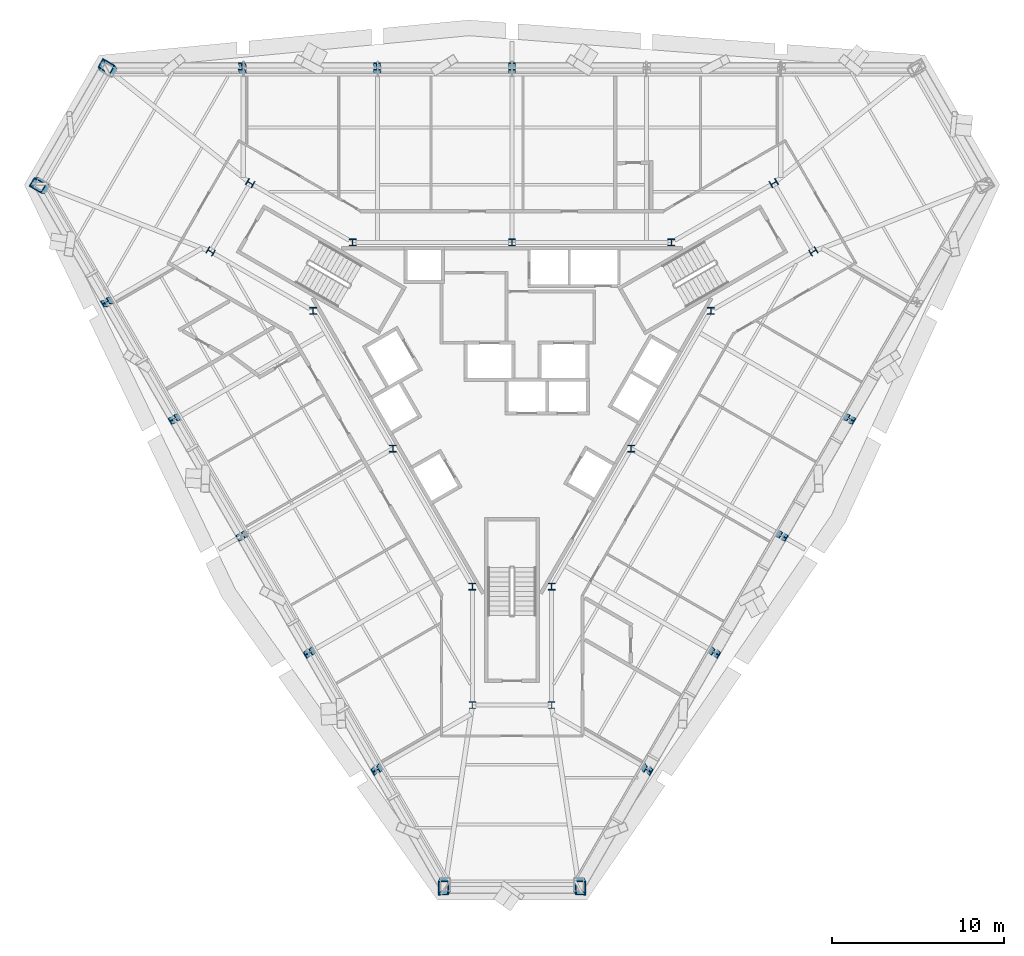
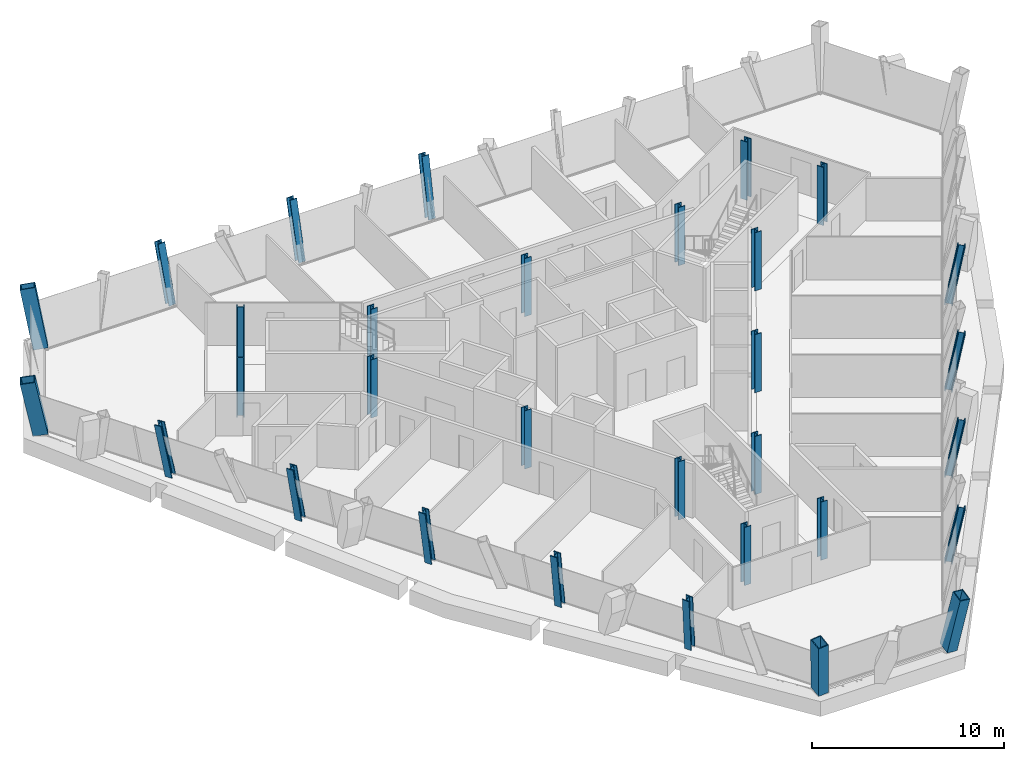
# One storey, part 1 of 12: 31 columns.
"""IFC4 building model written with IfcOpenShell, lengths in metres."""

from ifc_helpers import new_model, si_unit, direction, frame, origin, origin_2d, place, context, subcontext, project, spatial, hollow_rectangle, i_section, extrude, material, material_profile, profile_set, type_object, element, save


model = new_model("IFC4")

# Units and contexts
model_context = context("Model", 3, precision=1e-05, world=origin(), true_north=direction((0.0, 1.0)))
body_context = subcontext(model_context, "Body", "Model", "MODEL_VIEW")
ifc_project = project(units=[si_unit("LENGTHUNIT", "METRE"), si_unit("AREAUNIT", "SQUARE_METRE"), si_unit("VOLUMEUNIT", "CUBIC_METRE"), si_unit("PLANEANGLEUNIT", "RADIAN"), si_unit("MASSUNIT", "GRAM", prefix="KILO")], contexts=[model_context])

# Site, building, storey
site_placement = place(None, origin())
site = spatial("IfcSite", under=ifc_project, at=site_placement, CompositionType="ELEMENT")
building_placement = place(site_placement, origin())
building = spatial("IfcBuilding", under=site, at=building_placement, Name="Verrane Prism Tower", CompositionType="ELEMENT")
storey_placement = place(building_placement, frame((0.0, 0.0, 185.800048828125)))
storey = spatial("IfcBuildingStorey", under=building, at=storey_placement, Name="L46", CompositionType="ELEMENT", Elevation=185.800048828125)

# Columns
ifc_material_1 = material(Name="Steel A992", Category="steel")
ifc_material_profile_1 = material_profile(ifc_material_1, i_section(OverallWidth=0.406494140625, OverallDepth=0.41650390625, WebThickness=0.030029296875, FlangeThickness=0.048095703125, FilletRadius=0.01513671875, at=origin_2d()), Name="W14x257")
ifc_profile_set_1 = profile_set([ifc_material_profile_1], Name="Steel A992")
column_type_1 = type_object("IfcColumnType", Name="Core corner column W14x257", PredefinedType="COLUMN", material=ifc_profile_set_1)
for number, where, z_axis, x_axis, name in (
    (1, (17.52001953125, 7.4599609375, 0.0), (0.0, 0.0, 1.0), (0.5, -0.866025403784, 0.0), "Core corner column CK-NEm L46"),
    (2, (15.219970703125, 11.43994140625, 0.0), (0.0, 0.0, 1.0), (0.5, -0.866025403784, 0.0), "Core corner column CK-NEp L46"),
    (3, (-15.219970703125, 11.43994140625, 0.0), (0.0, 0.0, 1.0), (0.5, 0.866025403784, 0.0), "Core corner column CK-NWm L46"),
    (4, (-17.52001953125, 7.4599609375, 0.0), (0.0, 0.0, 1.0), (0.5, 0.866025403784, 0.0), "Core corner column CK-NWp L46"),
    (5, (-2.300048828125, -18.89990234375, 0.0), (0.0, 0.0, 1.0), (-1.0, 0.0, 0.0), "Core corner column CK-Sm L46"),
    (6, (2.300048828125, -18.89990234375, 0.0), (0.0, 0.0, 1.0), (-1.0, 0.0, 0.0), "Core corner column CK-Sp L46"),
):
    element("IfcColumn", number, at=place(storey_placement, frame(where, z_axis=z_axis, x_axis=x_axis)), inside=storey, type_object=column_type_1, Name=name, PredefinedType="COLUMN", context=body_context, shape_type="SweptSolid", body=[
        extrude(i_section(OverallWidth=0.406494140625, OverallDepth=0.41650390625, WebThickness=0.030029296875, FlangeThickness=0.048095703125, FilletRadius=0.01513671875, at=origin_2d()), origin(), (0.0, 0.0, 1.0), 3.699951171875),
    ])
ifc_material_2 = material(Name="Steel A992", Category="steel")
ifc_material_profile_2 = material_profile(ifc_material_2, i_section(OverallWidth=0.4013671875, OverallDepth=0.398681640625, WebThickness=0.02490234375, FlangeThickness=0.03955078125, FilletRadius=0.01513671875, at=origin_2d()), Name="W14x211")
ifc_profile_set_2 = profile_set([ifc_material_profile_2], Name="Steel A992")
column_type_2 = type_object("IfcColumnType", Name="Core side column W14x211", PredefinedType="COLUMN", material=ifc_profile_set_2)
for number, where, z_axis, x_axis, name in (
    (7, (11.56005859375, 4.02001953125, 0.0), (0.0, 0.0, 1.0), (1.0, 0.0, 0.0), "Core side column CC-NEm L46"),
    (8, (9.260009765625, 8.0, 0.0), (0.0, 0.0, 1.0), (1.0, 0.0, 0.0), "Core side column CC-NEp L46"),
    (9, (0.0, 8.0, 0.0), (0.0, 0.0, 1.0), (1.0, 0.0, 0.0), "Core side column CC-N0 L46"),
    (10, (-9.260009765625, 8.0, 0.0), (0.0, 0.0, 1.0), (1.0, 0.0, 0.0), "Core side column CC-NWm L46"),
    (11, (-11.56005859375, 4.02001953125, 0.0), (0.0, 0.0, 1.0), (1.0, 0.0, 0.0), "Core side column CC-NWp L46"),
    (12, (-6.929931640625, -4.0, 0.0), (0.0, 0.0, 1.0), (1.0, 0.0, 0.0), "Core side column CC-SW0 L46"),
    (13, (-2.300048828125, -12.02001953125, 0.0), (0.0, 0.0, 1.0), (1.0, 0.0, 0.0), "Core side column CC-Sm L46"),
    (14, (2.300048828125, -12.02001953125, 0.0), (0.0, 0.0, 1.0), (1.0, 0.0, 0.0), "Core side column CC-Sp L46"),
    (15, (6.929931640625, -4.0, 0.0), (0.0, 0.0, 1.0), (1.0, 0.0, 0.0), "Core side column CC-SE0 L46"),
):
    element("IfcColumn", number, at=place(storey_placement, frame(where, z_axis=z_axis, x_axis=x_axis)), inside=storey, type_object=column_type_2, Name=name, PredefinedType="COLUMN", context=body_context, shape_type="SweptSolid", body=[
        extrude(i_section(OverallWidth=0.4013671875, OverallDepth=0.398681640625, WebThickness=0.02490234375, FlangeThickness=0.03955078125, FilletRadius=0.01513671875, at=origin_2d()), origin(), (0.0, 0.0, 1.0), 3.699951171875),
    ])
ifc_material_3 = material(Name="Steel A572 Grade 50", Category="steel")
ifc_material_profile_3 = material_profile(ifc_material_3, hollow_rectangle(XDim=0.60009765625, YDim=0.800048828125, WallThickness=0.050048828125, at=origin_2d()), Name="BOX 800x600x50")
ifc_profile_set_3 = profile_set([ifc_material_profile_3], Name="Steel A572 Grade 50")
column_type_3 = type_object("IfcColumnType", Name="Megacolumn BOX 800x600x50", PredefinedType="COLUMN", material=ifc_profile_set_3)
column_1_placement = place(storey_placement, frame((-23.457275390625, 18.022216796875, 0.06494140625), z_axis=(-0.10821355543, 0.184831424614, 0.976794333981), x_axis=(0.49724252303, 0.860886955952, -0.107812440663)))
element("IfcColumn", 16, at=column_1_placement, inside=storey, type_object=column_type_3, Name="Megacolumn MC-NW.a L46", PredefinedType="COLUMN", context=body_context, shape_type="SweptSolid", body=[
    extrude(hollow_rectangle(XDim=0.60009765625, YDim=0.800048828125, WallThickness=0.050048828125, at=origin_2d()), origin(), (0.0, 0.0, 1.0), 3.65478515625),
])
column_2_placement = place(storey_placement, frame((-27.334228515625, 11.31005859375, 0.06494140625), z_axis=(-0.213838328366, 0.0, 0.976869064574), x_axis=(0.497033455356, 0.860883256594, 0.10880148332)))
element("IfcColumn", 17, at=column_2_placement, inside=storey, type_object=column_type_3, Name="Megacolumn MC-NW.b L46", PredefinedType="COLUMN", context=body_context, shape_type="SweptSolid", body=[
    extrude(hollow_rectangle(XDim=0.60009765625, YDim=0.800048828125, WallThickness=0.050048828125, at=origin_2d()), origin(), (0.0, 0.0, 1.0), 3.654541015625),
])
for number, where, z_axis, x_axis, name in (
    (18, (-3.877197265625, -29.332275390625, 0.06494140625), (-0.10821355543, -0.184831424614, 0.976794333981), (-0.99391563537, -0.000177409815, -0.110143898123), "Megacolumn MC-S.a L46"),
    (19, (3.877197265625, -29.332275390625, 0.06494140625), (0.10821355543, -0.184831424614, 0.976794333981), (-0.99391563537, 0.000177409815, 0.110143898123), "Megacolumn MC-S.b L46"),
):
    element("IfcColumn", number, at=place(storey_placement, frame(where, z_axis=z_axis, x_axis=x_axis)), inside=storey, type_object=column_type_3, Name=name, PredefinedType="COLUMN", context=body_context, shape_type="SweptSolid", body=[
        extrude(hollow_rectangle(XDim=0.60009765625, YDim=0.800048828125, WallThickness=0.050048828125, at=origin_2d()), origin(), (0.0, 0.0, 1.0), 3.65478515625),
    ])
ifc_material_4 = material(Name="Steel A992", Category="steel")
ifc_material_profile_4 = material_profile(ifc_material_4, i_section(OverallWidth=0.406494140625, OverallDepth=0.41650390625, WebThickness=0.030029296875, FlangeThickness=0.048095703125, FilletRadius=0.01513671875, at=origin_2d()), Name="W14x257")
ifc_profile_set_4 = profile_set([ifc_material_profile_4], Name="Steel A992")
column_type_4 = type_object("IfcColumnType", Name="Perimeter column W14x257", PredefinedType="COLUMN", material=ifc_profile_set_4)
column_3_placement = place(storey_placement, frame((0.0, 18.015625, 0.030029296875), z_axis=(0.0, 0.185915743066, 0.982565690669), x_axis=(1.0, 0.0, 0.0)))
element("IfcColumn", 20, at=column_3_placement, inside=storey, type_object=column_type_4, Name="Perimeter column PC-N3 L46", PredefinedType="COLUMN", context=body_context, shape_type="SweptSolid", body=[
    extrude(i_section(OverallWidth=0.406494140625, OverallDepth=0.41650390625, WebThickness=0.030029296875, FlangeThickness=0.048095703125, FilletRadius=0.01513671875, at=origin_2d()), origin(), (0.0, 0.0, 1.0), 3.70458984375),
])
column_4_placement = place(storey_placement, frame((-7.8212890625, 18.0166015625, 0.034912109375), z_axis=(-0.03447421706, 0.185777725267, 0.981986845713), x_axis=(0.999383372128, -0.000143167918, 0.035112035215)))
element("IfcColumn", 21, at=column_4_placement, inside=storey, type_object=column_type_4, Name="Perimeter column PC-N4 L46", PredefinedType="COLUMN", context=body_context, shape_type="SweptSolid", body=[
    extrude(i_section(OverallWidth=0.406494140625, OverallDepth=0.41650390625, WebThickness=0.030029296875, FlangeThickness=0.048095703125, FilletRadius=0.01513671875, at=origin_2d()), origin(), (0.0, 0.0, 1.0), 3.69677734375),
])
column_5_placement = place(storey_placement, frame((-15.6328125, 18.017578125, 0.0400390625), z_axis=(-0.071585281061, 0.185407860919, 0.980050750035), x_axis=(0.997347551379, 0.000333182044, 0.072785649323)))
element("IfcColumn", 22, at=column_5_placement, inside=storey, type_object=column_type_4, Name="Perimeter column PC-N5 L46", PredefinedType="COLUMN", context=body_context, shape_type="SweptSolid", body=[
    extrude(i_section(OverallWidth=0.406494140625, OverallDepth=0.41650390625, WebThickness=0.030029296875, FlangeThickness=0.048095703125, FilletRadius=0.01513671875, at=origin_2d()), origin(), (0.0, 0.0, 1.0), 3.693603515625),
])
column_6_placement = place(storey_placement, frame((-23.418212890625, 4.538818359375, 0.0400390625), z_axis=(-0.198532076657, -0.031778345714, 0.979579068418), x_axis=(-0.498721760227, 0.86367768571, -0.073057929632)))
element("IfcColumn", 23, at=column_6_placement, inside=storey, type_object=column_type_4, Name="Perimeter column PC-SW1 L46", PredefinedType="COLUMN", context=body_context, shape_type="SweptSolid", body=[
    extrude(i_section(OverallWidth=0.406494140625, OverallDepth=0.41650390625, WebThickness=0.030029296875, FlangeThickness=0.048095703125, FilletRadius=0.01513671875, at=origin_2d()), origin(), (0.0, 0.0, 1.0), 3.6953125),
])
column_7_placement = place(storey_placement, frame((-19.516357421875, -2.232421875, 0.034912109375), z_axis=(-0.177790178515, -0.063666319498, 0.982006747525), x_axis=(-0.499620629348, 0.865563464331, -0.034338257757)))
element("IfcColumn", 24, at=column_7_placement, inside=storey, type_object=column_type_4, Name="Perimeter column PC-SW2 L46", PredefinedType="COLUMN", context=body_context, shape_type="SweptSolid", body=[
    extrude(i_section(OverallWidth=0.406494140625, OverallDepth=0.41650390625, WebThickness=0.030029296875, FlangeThickness=0.048095703125, FilletRadius=0.01513671875, at=origin_2d()), origin(), (0.0, 0.0, 1.0), 3.696533203125),
])
column_8_placement = place(storey_placement, frame((-15.60498046875, -9.0126953125, 0.030029296875), z_axis=(-0.159333785609, -0.093016123912, 0.982833020129), x_axis=(-0.500289595457, 0.865857733626, 0.000840117374)))
element("IfcColumn", 25, at=column_8_placement, inside=storey, type_object=column_type_4, Name="Perimeter column PC-SW3 L46", PredefinedType="COLUMN", context=body_context, shape_type="SweptSolid", body=[
    extrude(i_section(OverallWidth=0.406494140625, OverallDepth=0.41650390625, WebThickness=0.030029296875, FlangeThickness=0.048095703125, FilletRadius=0.01513671875, at=origin_2d()), origin(), (0.0, 0.0, 1.0), 3.703369140625),
])
column_9_placement = place(storey_placement, frame((-11.695068359375, -15.784423828125, 0.034912109375), z_axis=(-0.143331567224, -0.122063012087, 0.982118466845), x_axis=(-0.499578566378, 0.865574550711, 0.03466919636)))
element("IfcColumn", 26, at=column_9_placement, inside=storey, type_object=column_type_4, Name="Perimeter column PC-SW4 L46", PredefinedType="COLUMN", context=body_context, shape_type="SweptSolid", body=[
    extrude(i_section(OverallWidth=0.406494140625, OverallDepth=0.41650390625, WebThickness=0.030029296875, FlangeThickness=0.048095703125, FilletRadius=0.01513671875, at=origin_2d()), origin(), (0.0, 0.0, 1.0), 3.6962890625),
])
for number, where, z_axis, x_axis, name in (
    (27, (-7.78515625, -22.556396484375, 0.0400390625), (-0.124490162422, -0.153645851019, 0.98025259598), (-0.498753062579, 0.863744810544, 0.072043631407), "Perimeter column PC-SW5 L46"),
    (28, (7.78515625, -22.556396484375, 0.0400390625), (0.124490162422, -0.153645851019, 0.98025259598), (-0.498753062579, -0.863744810544, -0.072043631407), "Perimeter column PC-SE1 L46"),
):
    element("IfcColumn", number, at=place(storey_placement, frame(where, z_axis=z_axis, x_axis=x_axis)), inside=storey, type_object=column_type_4, Name=name, PredefinedType="COLUMN", context=body_context, shape_type="SweptSolid", body=[
        extrude(i_section(OverallWidth=0.406494140625, OverallDepth=0.41650390625, WebThickness=0.030029296875, FlangeThickness=0.048095703125, FilletRadius=0.01513671875, at=origin_2d()), origin(), (0.0, 0.0, 1.0), 3.69287109375),
    ])
column_10_placement = place(storey_placement, frame((11.695068359375, -15.784423828125, 0.034912109375), z_axis=(0.143331567224, -0.122063012087, 0.982118466845), x_axis=(-0.499578566378, -0.865574550711, -0.03466919636)))
element("IfcColumn", 29, at=column_10_placement, inside=storey, type_object=column_type_4, Name="Perimeter column PC-SE2 L46", PredefinedType="COLUMN", context=body_context, shape_type="SweptSolid", body=[
    extrude(i_section(OverallWidth=0.406494140625, OverallDepth=0.41650390625, WebThickness=0.030029296875, FlangeThickness=0.048095703125, FilletRadius=0.01513671875, at=origin_2d()), origin(), (0.0, 0.0, 1.0), 3.6962890625),
])
column_11_placement = place(storey_placement, frame((15.60498046875, -9.0126953125, 0.030029296875), z_axis=(0.159333785609, -0.093016123912, 0.982833020129), x_axis=(-0.500289595457, -0.865857733626, -0.000840117374)))
element("IfcColumn", 30, at=column_11_placement, inside=storey, type_object=column_type_4, Name="Perimeter column PC-SE3 L46", PredefinedType="COLUMN", context=body_context, shape_type="SweptSolid", body=[
    extrude(i_section(OverallWidth=0.406494140625, OverallDepth=0.41650390625, WebThickness=0.030029296875, FlangeThickness=0.048095703125, FilletRadius=0.01513671875, at=origin_2d()), origin(), (0.0, 0.0, 1.0), 3.703369140625),
])
column_12_placement = place(storey_placement, frame((19.516357421875, -2.232421875, 0.034912109375), z_axis=(0.177790178515, -0.063666319498, 0.982006747525), x_axis=(-0.499620629348, -0.865563464331, 0.034338257757)))
element("IfcColumn", 31, at=column_12_placement, inside=storey, type_object=column_type_4, Name="Perimeter column PC-SE4 L46", PredefinedType="COLUMN", context=body_context, shape_type="SweptSolid", body=[
    extrude(i_section(OverallWidth=0.406494140625, OverallDepth=0.41650390625, WebThickness=0.030029296875, FlangeThickness=0.048095703125, FilletRadius=0.01513671875, at=origin_2d()), origin(), (0.0, 0.0, 1.0), 3.696533203125),
])

save(model, "model.ifc")
